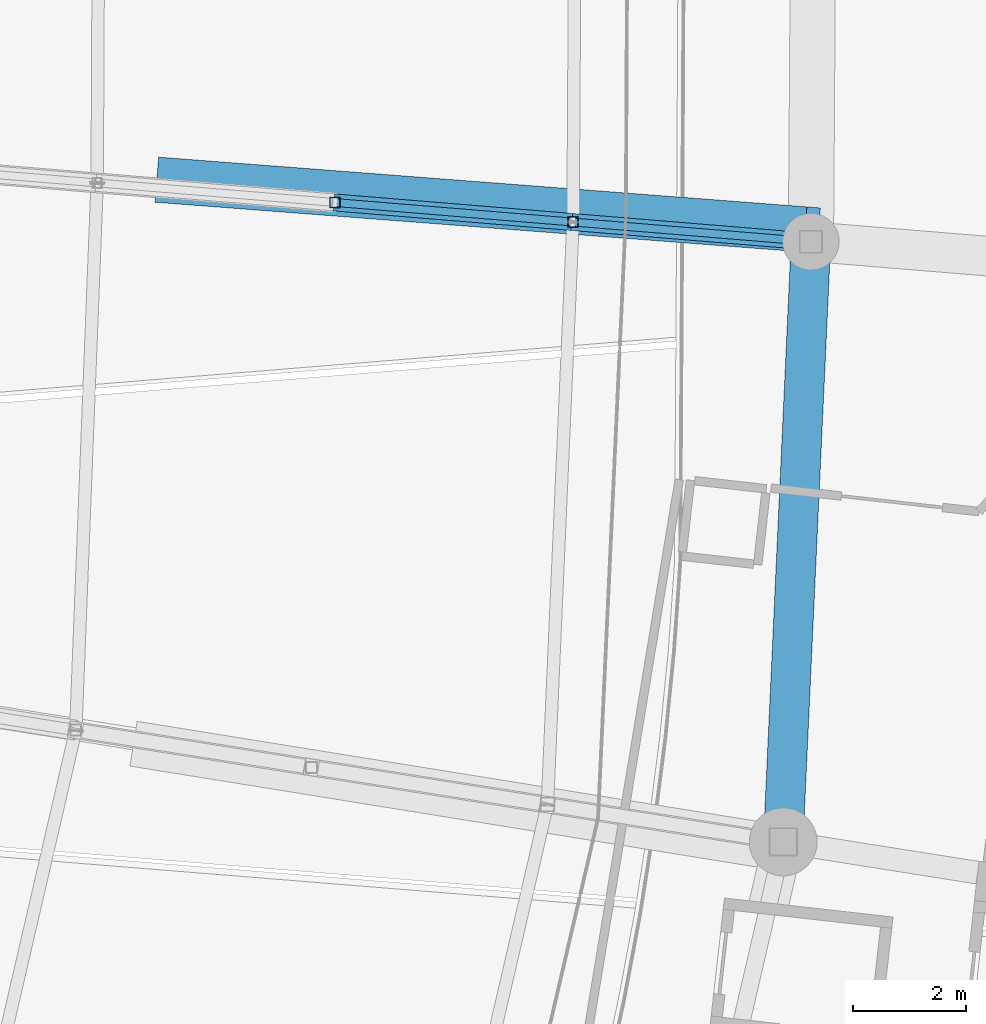
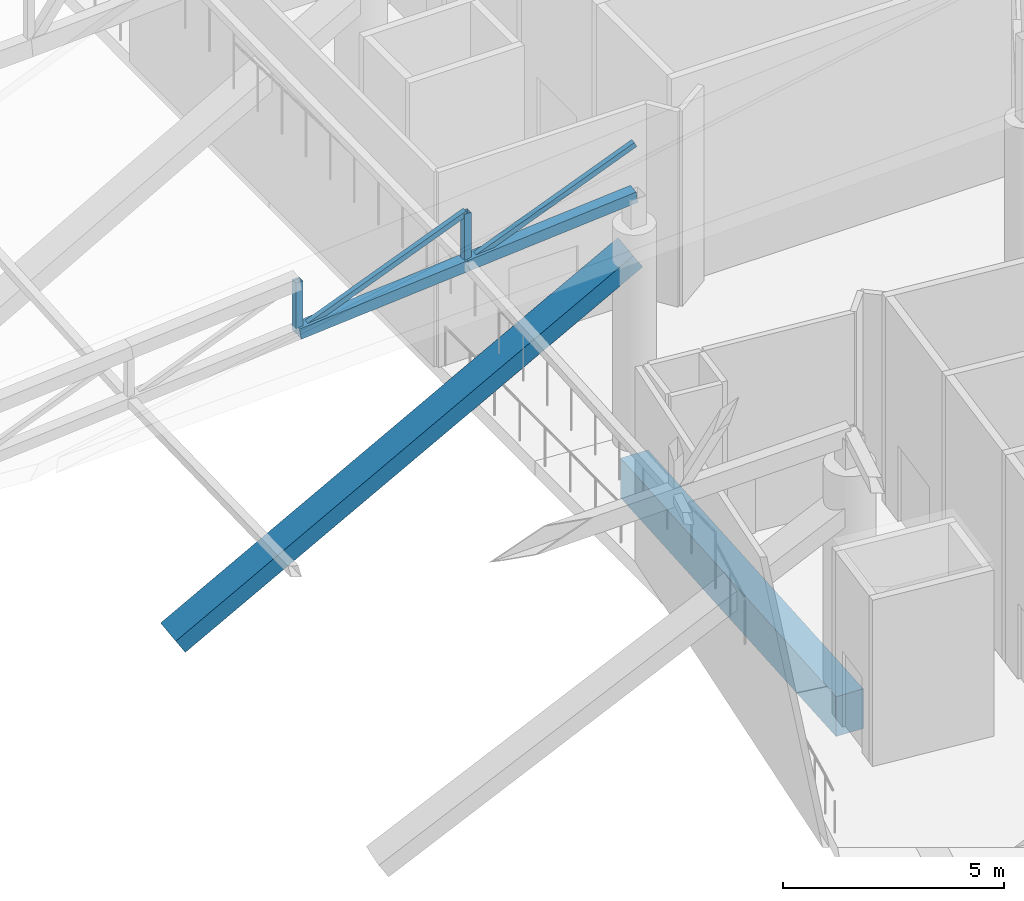
# One storey, part 94 of 344: 6 members, 2 beams.
"""IFC4 building model written with IfcOpenShell, lengths in metres."""

from ifc_helpers import new_model, si_unit, direction, frame, origin, origin_2d, place, context, subcontext, project, spatial, rectangle, hollow_rectangle, extrude, material, material_profile, profile_set, type_object, element, save


model = new_model("IFC4")

# Units and contexts
model_context = context("Model", 3, precision=1e-05, world=origin(), true_north=direction((0.0, 1.0)))
body_context = subcontext(model_context, "Body", "Model", "MODEL_VIEW")
ifc_project = project(units=[si_unit("LENGTHUNIT", "METRE"), si_unit("AREAUNIT", "SQUARE_METRE"), si_unit("VOLUMEUNIT", "CUBIC_METRE"), si_unit("PLANEANGLEUNIT", "RADIAN"), si_unit("MASSUNIT", "GRAM", prefix="KILO")], contexts=[model_context])

# Site, building, storey
site_placement = place(None, origin())
site = spatial("IfcSite", under=ifc_project, at=site_placement, CompositionType="ELEMENT")
building_placement = place(site_placement, origin())
building = spatial("IfcBuilding", under=site, at=building_placement, Name="Meseta Stadium", CompositionType="ELEMENT")
storey_placement = place(building_placement, frame((0.0, 0.0, 24.0)))
storey = spatial("IfcBuildingStorey", under=building, at=storey_placement, Name="L04", CompositionType="ELEMENT", Elevation=24.0)

# Beams
ifc_material_1 = material(Name="Concrete C40/50", Category="concrete")
ifc_material_profile_1 = material_profile(ifc_material_1, rectangle(XDim=0.699951171875, YDim=1.10009765625, at=origin_2d()), Name="RC 700x1100")
ifc_profile_set_1 = profile_set([ifc_material_profile_1], Name="Concrete C40/50")
beam_type_1 = type_object("IfcBeamType", Name="RC beam 700x1100", PredefinedType="BEAM", material=ifc_profile_set_1)
beam_1_placement = place(storey_placement, frame((84.36328125, -53.5654296875, -0.949951171875), z_axis=(0.046171416705, 0.998933531462, 0.0), x_axis=(-0.998933531462, 0.046171416705, 0.0)))
element("IfcBeam", 1, at=beam_1_placement, inside=storey, type_object=beam_type_1, Name="L04 ring beam frame 0 line P", PredefinedType="BEAM", context=body_context, shape_type="SweptSolid", body=[
    extrude(rectangle(XDim=0.699951171875, YDim=1.10009765625, at=origin_2d()), origin(), (0.0, 0.0, 1.0), 10.628173828125),
])
ifc_material_2 = material(Name="Concrete C40/50", Category="concrete")
ifc_material_profile_2 = material_profile(ifc_material_2, rectangle(XDim=0.800048828125, YDim=0.449951171875, at=origin_2d()), Name="RC 800x450")
ifc_profile_set_2 = profile_set([ifc_material_profile_2], Name="Concrete C40/50")
beam_type_2 = type_object("IfcBeamType", Name="RC raker upper rear 800x450", PredefinedType="USERDEFINED", material=ifc_profile_set_2)
beam_2_placement = place(storey_placement, frame((73.40478515625, -41.8623046875, -2.135498046875), z_axis=(0.845529088137, -0.06488282659, 0.529972433177), x_axis=(0.076511425531, 0.997068704635, 0.0)))
element("IfcBeam", 2, at=beam_2_placement, inside=storey, type_object=beam_type_2, Name="Raker upper rear frame 1 upper tier", ObjectType="RAKER", PredefinedType="USERDEFINED", context=body_context, shape_type="SweptSolid", body=[
    extrude(rectangle(XDim=0.800048828125, YDim=0.449951171875, at=origin_2d()), origin(), (0.0, 0.0, 1.0), 13.56103515625),
])

# Members
ifc_material_3 = material(Name="Steel S355", Category="steel")
ifc_material_profile_3 = material_profile(ifc_material_3, hollow_rectangle(XDim=0.139892578125, YDim=0.139892578125, WallThickness=0.0048828125, at=origin_2d()), Name="SHS 140x140x5")
ifc_profile_set_3 = profile_set([ifc_material_profile_3], Name="Steel S355")
member_type_1 = type_object("IfcMemberType", Name="SHS 140x140x5 diagonal", PredefinedType="BRACE", material=ifc_profile_set_3)
for number, where, z_axis, x_axis, name in (
    (3, (76.43798828125, -42.25634765625, 5.532958984375), (0.89741657431, -0.073830163749, 0.434962755963), (0.081992660671, 0.996632933229, 0.0), "ROOF TRUSS RT-01 diagonal"),
    (4, (80.64599609375, -42.6025390625, 6.16650390625), (0.897440346301, -0.073780051677, 0.434922210063), (0.081935226242, 0.996637656674, 0.0), "ROOF TRUSS RT-01 diagonal"),
):
    element("IfcMember", number, at=place(storey_placement, frame(where, z_axis=z_axis, x_axis=x_axis)), inside=storey, type_object=member_type_1, Name=name, PredefinedType="BRACE", context=body_context, shape_type="SweptSolid", body=[
        extrude(hollow_rectangle(XDim=0.139892578125, YDim=0.139892578125, WallThickness=0.0048828125, at=origin_2d()), origin(), (0.0, 0.0, 1.0), 4.68896484375),
    ])
ifc_material_4 = material(Name="Steel S355", Category="steel")
ifc_material_profile_4 = material_profile(ifc_material_4, hollow_rectangle(XDim=0.179931640625, YDim=0.179931640625, WallThickness=0.00634765625, at=origin_2d()), Name="SHS 180x180x6.3")
ifc_profile_set_4 = profile_set([ifc_material_profile_4], Name="Steel S355")
member_type_2 = type_object("IfcMemberType", Name="SHS 180x180x6.3 post", PredefinedType="POST", material=ifc_profile_set_4)
for number, where, z_axis, x_axis, name in (
    (5, (76.43798828125, -42.25634765625, 5.532958984375), (0.0, 0.0, 1.0), (1.0, 0.0, 0.0), "ROOF TRUSS RT-01 post"),
    (6, (80.64599609375, -42.6025390625, 6.16650390625), (0.0, 0.0, 1.0), (1.0, 0.0, 0.0), "ROOF TRUSS RT-01 post"),
):
    element("IfcMember", number, at=place(storey_placement, frame(where, z_axis=z_axis, x_axis=x_axis)), inside=storey, type_object=member_type_2, Name=name, PredefinedType="POST", context=body_context, shape_type="SweptSolid", body=[
        extrude(hollow_rectangle(XDim=0.179931640625, YDim=0.179931640625, WallThickness=0.00634765625, at=origin_2d()), origin(), (0.0, 0.0, 1.0), 1.406005859375),
    ])
ifc_material_5 = material(Name="Steel S355", Category="steel")
ifc_material_profile_5 = material_profile(ifc_material_5, hollow_rectangle(XDim=0.300048828125, YDim=0.300048828125, WallThickness=0.010009765625, at=origin_2d()), Name="SHS 300x300x10")
ifc_profile_set_5 = profile_set([ifc_material_profile_5], Name="Steel S355")
member_type_3 = type_object("IfcMemberType", Name="SHS 300x300x10 bottom chord", PredefinedType="CHORD", material=ifc_profile_set_5)
for number, where, z_axis, x_axis, name in (
    (7, (76.43798828125, -42.25634765625, 5.532958984375), (0.98559930207, -0.081084927497, 0.148388848275), (0.081992660671, 0.996632933229, 0.0), "ROOF TRUSS RT-01 bottom chord"),
    (8, (80.64599609375, -42.6025390625, 6.16650390625), (0.985603870366, -0.081028120464, 0.148389536064), (0.081935226242, 0.996637656674, 0.0), "ROOF TRUSS RT-01 bottom chord"),
):
    element("IfcMember", number, at=place(storey_placement, frame(where, z_axis=z_axis, x_axis=x_axis)), inside=storey, type_object=member_type_3, Name=name, PredefinedType="CHORD", context=body_context, shape_type="SweptSolid", body=[
        extrude(hollow_rectangle(XDim=0.300048828125, YDim=0.300048828125, WallThickness=0.010009765625, at=origin_2d()), origin(), (0.0, 0.0, 1.0), 4.26953125),
    ])

save(model, "model.ifc")
